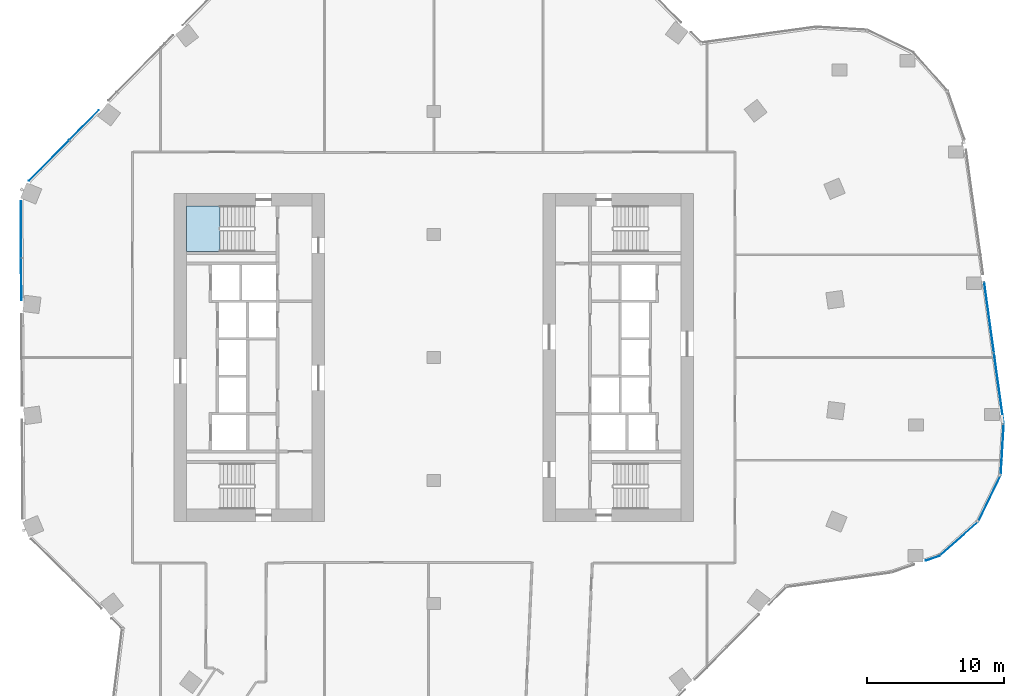
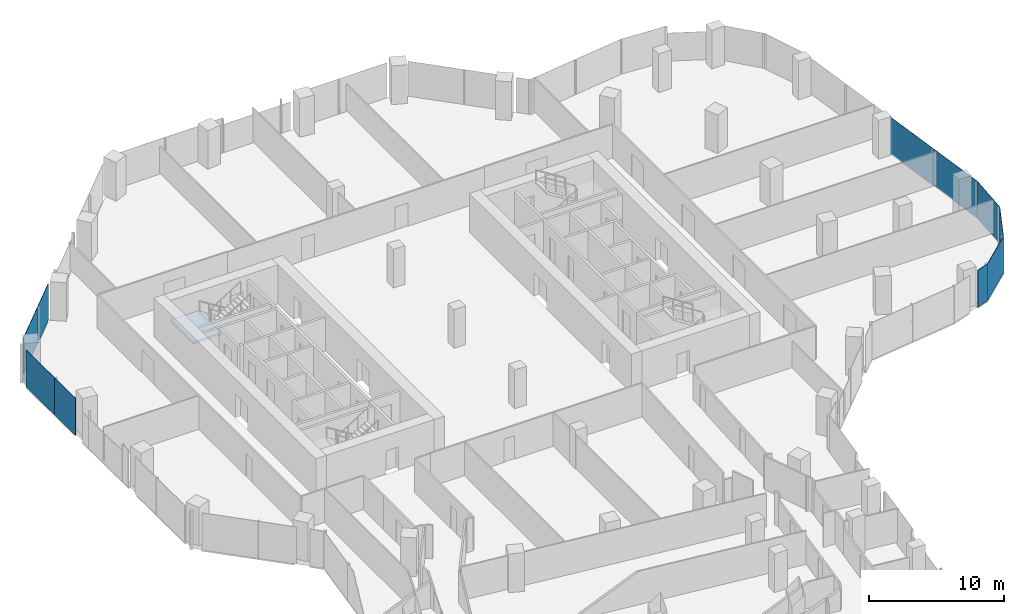
# One storey, part 16 of 27: 10 plates, 1 slab, 8 elements without a shape of their own.
"""IFC4 building model written with IfcOpenShell, lengths in metres."""

from ifc_helpers import new_model, si_unit, direction, frame, origin, origin_2d, place, context, subcontext, project, spatial, polyline, rectangle, outline, extrude, material, layer, layer_set, type_object, element, aggregate, save


model = new_model("IFC4")

# Units and contexts
model_context = context("Model", 3, precision=1e-05, world=origin(), true_north=direction((0.0, 1.0)))
body_context = subcontext(model_context, "Body", "Model", "MODEL_VIEW")
ifc_project = project(units=[si_unit("LENGTHUNIT", "METRE"), si_unit("AREAUNIT", "SQUARE_METRE"), si_unit("VOLUMEUNIT", "CUBIC_METRE"), si_unit("PLANEANGLEUNIT", "RADIAN"), si_unit("MASSUNIT", "GRAM", prefix="KILO")], contexts=[model_context])

# Site, building, storey
site_placement = place(None, origin())
site = spatial("IfcSite", under=ifc_project, at=site_placement, CompositionType="ELEMENT")
building_placement = place(site_placement, origin())
building = spatial("IfcBuilding", under=site, at=building_placement, Name="Orlundy Tower", CompositionType="ELEMENT")
storey_placement = place(building_placement, frame((0.0, 0.0, 202.60009765625)))
storey = spatial("IfcBuildingStorey", under=building, at=storey_placement, Name="L53", CompositionType="ELEMENT", Elevation=202.60009765625)

# Curtain wall, plates
ifc_material_1 = material(Name="Aluminium bronze anodised", Category="aluminium")
curtain_wall_type = type_object("IfcCurtainWallType", Name="CW1 wall", PredefinedType="NOTDEFINED", material=ifc_material_1)
curtain_wall_1_placement = place(storey_placement, origin())
curtain_wall_1 = element("IfcCurtainWall", 1, at=curtain_wall_1_placement, inside=storey, type_object=curtain_wall_type, Name="CW1 run 02", PredefinedType="NOTDEFINED")
ifc_material_2 = material(Name="Tinted glass", Category="glass")
ifc_layer_1 = layer(ifc_material_2, 0.031982421875)
ifc_layer_set_1 = layer_set([ifc_layer_1], Name="CW1 glass panel 32")
plate_type = type_object("IfcPlateType", Name="CW1 glass panel 32", PredefinedType="CURTAIN_PANEL", material=ifc_layer_set_1)
plate_1_placement = place(storey_placement, frame((-30.197998046875, 5.7265625, -0.300048828125), z_axis=(0.0, 0.0, 1.0), x_axis=(-0.005834206419, 0.999982980873, 0.0)))
plate_1 = element("IfcPlate", 2, at=plate_1_placement, type_object=plate_type, Name="CW1 panel", PredefinedType="CURTAIN_PANEL", context=body_context, shape_type="SweptSolid", body=[
    extrude(rectangle(XDim=3.0576171875, YDim=0.031982421875, at=origin_2d()), origin(), (0.0, 0.0, 1.0), 3.35009765625),
])
plate_2_placement = place(storey_placement, frame((-30.21923828125, 9.37939453125, -0.300048828125), z_axis=(0.0, 0.0, 1.0), x_axis=(-0.005834206419, 0.999982980873, 0.0)))
plate_2 = element("IfcPlate", 3, at=plate_2_placement, type_object=plate_type, Name="CW1 panel", PredefinedType="CURTAIN_PANEL", context=body_context, shape_type="SweptSolid", body=[
    extrude(rectangle(XDim=4.14794921875, YDim=0.031982421875, at=origin_2d()), origin(), (0.0, 0.0, 1.0), 3.35009765625),
])
aggregate(curtain_wall_1, [plate_1, plate_2])

curtain_wall_2_placement = place(storey_placement, origin())
curtain_wall_2 = element("IfcCurtainWall", 4, at=curtain_wall_2_placement, inside=storey, type_object=curtain_wall_type, Name="CW1 run 03", PredefinedType="NOTDEFINED")
plate_3_placement = place(storey_placement, frame((-28.169677734375, 14.40966796875, -0.300048828125), z_axis=(0.0, 0.0, 1.0), x_axis=(0.702990637629, 0.711199102506, 0.0)))
plate_3 = element("IfcPlate", 5, at=plate_3_placement, type_object=plate_type, Name="CW1 panel", PredefinedType="CURTAIN_PANEL", context=body_context, shape_type="SweptSolid", body=[
    extrude(rectangle(XDim=4.147216796875, YDim=0.031982421875, at=origin_2d()), origin(), (0.0, 0.0, 1.0), 3.35009765625),
])
plate_4_placement = place(storey_placement, frame((-25.602294921875, 17.007080078125, -0.300048828125), z_axis=(0.0, 0.0, 1.0), x_axis=(0.702990637629, 0.711199102506, 0.0)))
plate_4 = element("IfcPlate", 6, at=plate_4_placement, type_object=plate_type, Name="CW1 panel", PredefinedType="CURTAIN_PANEL", context=body_context, shape_type="SweptSolid", body=[
    extrude(rectangle(XDim=3.05712890625, YDim=0.031982421875, at=origin_2d()), origin(), (0.0, 0.0, 1.0), 3.35009765625),
])
aggregate(curtain_wall_2, [plate_3, plate_4])

curtain_wall_3_placement = place(storey_placement, origin())
curtain_wall_3 = element("IfcCurtainWall", 7, at=curtain_wall_3_placement, inside=storey, type_object=curtain_wall_type, Name="CW1 run 011", PredefinedType="NOTDEFINED")
plate_5_placement = place(storey_placement, frame((40.642333984375, 2.94189453125, -0.300048828125), z_axis=(0.0, 0.0, 1.0), x_axis=(0.13628610677, -0.990669519619, 0.0)))
plate_5 = element("IfcPlate", 8, at=plate_5_placement, type_object=plate_type, Name="CW1 panel", PredefinedType="CURTAIN_PANEL", context=body_context, shape_type="SweptSolid", body=[
    extrude(rectangle(XDim=5.199951171875, YDim=0.031982421875, at=origin_2d()), origin(), (0.0, 0.0, 1.0), 3.35009765625),
])
plate_6_placement = place(storey_placement, frame((41.35888671875, -2.26708984375, -0.300048828125), z_axis=(0.0, 0.0, 1.0), x_axis=(0.13628610677, -0.990669519619, 0.0)))
plate_6 = element("IfcPlate", 9, at=plate_6_placement, type_object=plate_type, Name="CW1 panel", PredefinedType="CURTAIN_PANEL", context=body_context, shape_type="SweptSolid", body=[
    extrude(rectangle(XDim=5.216064453125, YDim=0.031982421875, at=origin_2d()), origin(), (0.0, 0.0, 1.0), 3.35009765625),
])
aggregate(curtain_wall_3, [plate_5, plate_6])

# Curtain wall, plate
curtain_wall_4_placement = place(storey_placement, origin())
curtain_wall_4 = element("IfcCurtainWall", 10, at=curtain_wall_4_placement, inside=storey, type_object=curtain_wall_type, Name="CW1 run 012", PredefinedType="NOTDEFINED")
plate_7_placement = place(storey_placement, frame((41.60498046875, -6.762451171875, -0.300048828125), z_axis=(0.0, 0.0, 1.0), x_axis=(-0.059623466872, -0.998220938569, 0.0)))
plate_7 = element("IfcPlate", 11, at=plate_7_placement, type_object=plate_type, Name="CW1 panel", PredefinedType="CURTAIN_PANEL", context=body_context, shape_type="SweptSolid", body=[
    extrude(rectangle(XDim=3.730224609375, YDim=0.031982421875, at=origin_2d()), origin(), (0.0, 0.0, 1.0), 3.35009765625),
])
aggregate(curtain_wall_4, [plate_7])

curtain_wall_5_placement = place(storey_placement, origin())
curtain_wall_5 = element("IfcCurtainWall", 12, at=curtain_wall_5_placement, inside=storey, type_object=curtain_wall_type, Name="CW1 run 013", PredefinedType="NOTDEFINED")
plate_8_placement = place(storey_placement, frame((40.66943359375, -10.320556640625, -0.300048828125), z_axis=(0.0, 0.0, 1.0), x_axis=(-0.437041163358, -0.899441505342, 0.0)))
plate_8 = element("IfcPlate", 13, at=plate_8_placement, type_object=plate_type, Name="CW1 panel", PredefinedType="CURTAIN_PANEL", context=body_context, shape_type="SweptSolid", body=[
    extrude(rectangle(XDim=3.77197265625, YDim=0.031982421875, at=origin_2d()), origin(), (0.0, 0.0, 1.0), 3.35009765625),
])
aggregate(curtain_wall_5, [plate_8])

curtain_wall_6_placement = place(storey_placement, origin())
curtain_wall_6 = element("IfcCurtainWall", 14, at=curtain_wall_6_placement, inside=storey, type_object=curtain_wall_type, Name="CW1 run 014", PredefinedType="NOTDEFINED")
plate_9_placement = place(storey_placement, frame((38.434814453125, -13.2685546875, -0.300048828125), z_axis=(0.0, 0.0, 1.0), x_axis=(-0.747944996694, -0.663760711342, 0.0)))
plate_9 = element("IfcPlate", 15, at=plate_9_placement, type_object=plate_type, Name="CW1 panel", PredefinedType="CURTAIN_PANEL", context=body_context, shape_type="SweptSolid", body=[
    extrude(rectangle(XDim=3.771484375, YDim=0.031982421875, at=origin_2d()), origin(), (0.0, 0.0, 1.0), 3.35009765625),
])
aggregate(curtain_wall_6, [plate_9])

curtain_wall_7_placement = place(storey_placement, origin())
curtain_wall_7 = element("IfcCurtainWall", 16, at=curtain_wall_7_placement, inside=storey, type_object=curtain_wall_type, Name="CW1 run 015", PredefinedType="NOTDEFINED")
plate_10_placement = place(storey_placement, frame((36.51611328125, -14.696044921875, -0.300048828125), z_axis=(0.0, 0.0, 1.0), x_axis=(-0.945034174317, -0.32697157273, 0.0)))
plate_10 = element("IfcPlate", 17, at=plate_10_placement, type_object=plate_type, Name="CW1 panel", PredefinedType="CURTAIN_PANEL", context=body_context, shape_type="SweptSolid", body=[
    extrude(rectangle(XDim=1.07568359375, YDim=0.031982421875, at=origin_2d()), origin(), (0.0, 0.0, 1.0), 3.35009765625),
])
aggregate(curtain_wall_7, [plate_10])

# Stair, slab
ifc_material_3 = material(Name="Concrete C50/60", Category="concrete")
stair_type = type_object("IfcStairType", Name="Exit Stair 20 risers", PredefinedType="HALF_TURN_STAIR", material=ifc_material_3)
stair_placement = place(storey_placement, origin())
stair = element("IfcStair", 18, at=stair_placement, inside=storey, type_object=stair_type, Name="L53 Exit Stair ST-W1", PredefinedType="HALF_TURN_STAIR")
ifc_material_4 = material(Name="Concrete C50/60", Category="concrete")
ifc_layer_2 = layer(ifc_material_4, 0.199951171875)
ifc_layer_set_2 = layer_set([ifc_layer_2], Name="Exit Stair Landing")
slab_type = type_object("IfcSlabType", Name="Exit Stair Landing", PredefinedType="LANDING", material=ifc_layer_set_2)
slab_placement = place(storey_placement, frame((0.0, 0.0, 1.5498046875)))
slab = element("IfcSlab", 19, at=slab_placement, type_object=slab_type, Name="ST-W1 landing 1", PredefinedType="LANDING", context=body_context, shape_type="SweptSolid", body=[
    extrude(outline(polyline([(-15.659912109375, 11.10009765625), (-18.10009765625, 11.10009765625), (-18.10009765625, 7.75), (-15.659912109375, 7.75), (-15.659912109375, 11.10009765625)])), origin(), (0.0, 0.0, 1.0), 0.2001953125),
])
aggregate(stair, [slab])

save(model, "model.ifc")
